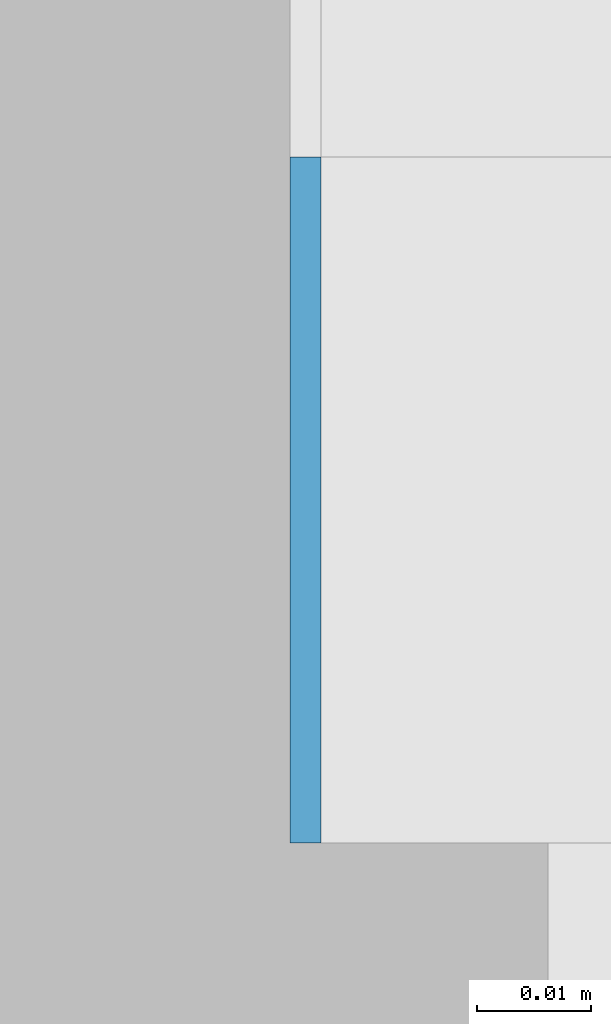
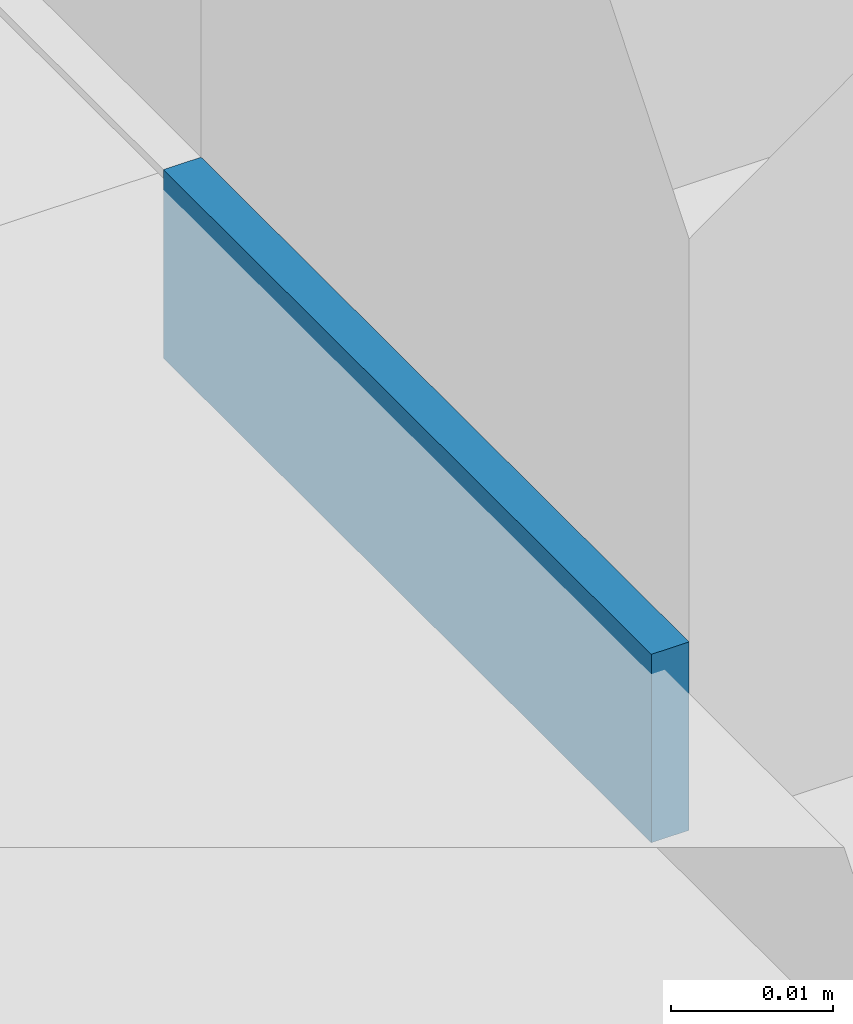
# One storey, part 444 of 646: 1 discrete accessory.
"""IFC4 building model written with IfcOpenShell, lengths in metres."""

from ifc_helpers import new_model, si_unit, direction, frame, origin, origin_2d, place, context, subcontext, project, spatial, rectangle, extrude, material, type_object, element, save


model = new_model("IFC4")

# Units and contexts
model_context = context("Model", 3, precision=1e-05, world=origin(), true_north=direction((0.0, 1.0)))
body_context = subcontext(model_context, "Body", "Model", "MODEL_VIEW")
ifc_project = project(units=[si_unit("LENGTHUNIT", "METRE"), si_unit("AREAUNIT", "SQUARE_METRE"), si_unit("VOLUMEUNIT", "CUBIC_METRE"), si_unit("PLANEANGLEUNIT", "RADIAN"), si_unit("MASSUNIT", "GRAM", prefix="KILO")], contexts=[model_context])

# Site, building, storey
site_placement = place(None, origin())
site = spatial("IfcSite", under=ifc_project, at=site_placement, CompositionType="ELEMENT")
building_placement = place(site_placement, origin())
building = spatial("IfcBuilding", under=site, at=building_placement, Name="Silverbay Arena", CompositionType="ELEMENT")
storey_placement = place(building_placement, frame((0.0, 0.0, 33.5)))
storey = spatial("IfcBuildingStorey", under=building, at=storey_placement, Name="L05", CompositionType="ELEMENT", Elevation=33.5)

# Discrete accessory
ifc_material = material(Name="Steel S355", Category="steel")
discrete_accessory_type = type_object("IfcDiscreteAccessoryType", Name="Steel bracket plate", PredefinedType="BRACKET", material=ifc_material)
discrete_accessory_placement = place(storey_placement, frame((207.128662109375, 35.969970703125, 4.0), z_axis=(0.0, 0.0, 1.0), x_axis=(1.0, 0.0, 0.0)))
element("IfcDiscreteAccessory", 1, at=discrete_accessory_placement, inside=storey, type_object=discrete_accessory_type, Name="Curtain wall packing plate", PredefinedType="BRACKET", context=body_context, shape_type="SweptSolid", body=[
    extrude(rectangle(XDim=0.002685546875, YDim=0.06005859375, at=origin_2d()), origin(), (0.0, 0.0, 1.0), 0.01416015625),
])

save(model, "model.ifc")
